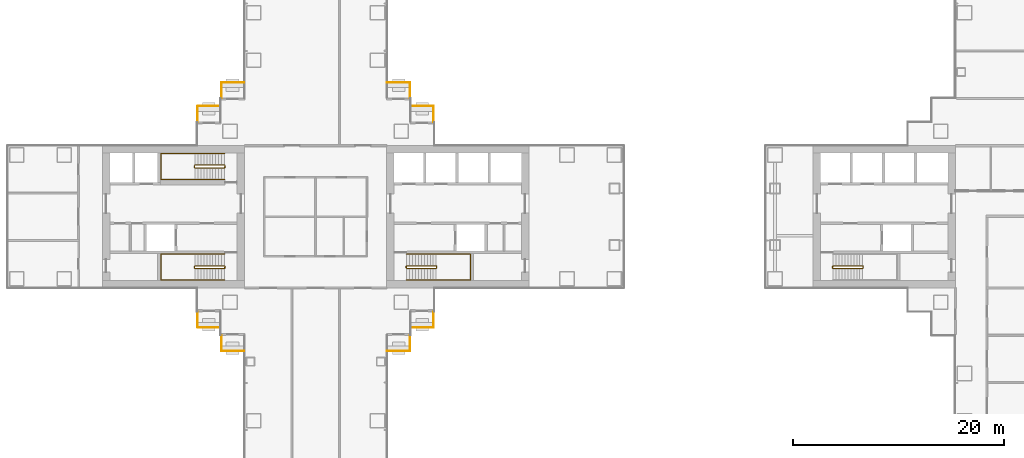
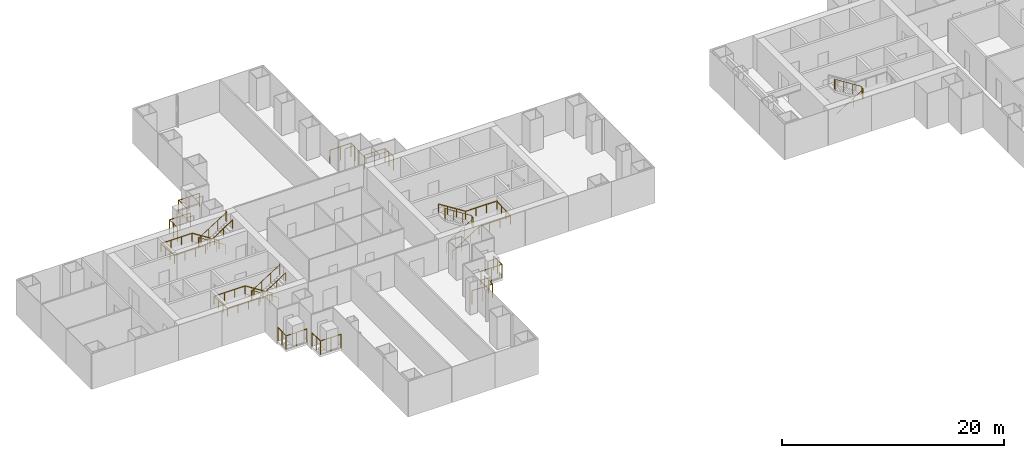
# One storey, part 19 of 21: 15 railings.
"""IFC4 building model written with IfcOpenShell, lengths in metres."""

from ifc_helpers import new_model, si_unit, direction, frame, origin, origin_2d, place, context, subcontext, project, spatial, circle, extrude, material, type_object, element, save


model = new_model("IFC4")

# Units and contexts
model_context = context("Model", 3, precision=1e-05, world=origin(), true_north=direction((0.0, 1.0)))
body_context = subcontext(model_context, "Body", "Model", "MODEL_VIEW")
ifc_project = project(units=[si_unit("LENGTHUNIT", "METRE"), si_unit("AREAUNIT", "SQUARE_METRE"), si_unit("VOLUMEUNIT", "CUBIC_METRE"), si_unit("PLANEANGLEUNIT", "RADIAN"), si_unit("MASSUNIT", "GRAM", prefix="KILO")], contexts=[model_context])

# Site, building, storey
site_placement = place(None, origin())
site = spatial("IfcSite", under=ifc_project, at=site_placement, CompositionType="ELEMENT")
building_placement = place(site_placement, origin())
building = spatial("IfcBuilding", under=site, at=building_placement, Name="Shamsa Quay Exchange Towers", CompositionType="ELEMENT")
storey_placement = place(building_placement, frame((0.0, 0.0, 45.89990234375)))
storey = spatial("IfcBuildingStorey", under=building, at=storey_placement, Name="L09", CompositionType="ELEMENT", Elevation=45.89990234375)

# Railings
ifc_material_1 = material(Name="Steel S355, black powder-coated", Category="steel")
railing_type_1 = type_object("IfcRailingType", Name="BALCONY GUARD 1500", PredefinedType="GUARDRAIL", material=ifc_material_1)
for number, where, name in (
    (1, (-22.550048828125, 9.02099609375, 0.0), "Balcony guard T1-PKEN L09"),
    (2, (-24.800048828125, 11.27099609375, 0.0), "Balcony guard T1-PKEN L09"),
):
    element("IfcRailing", number, at=place(storey_placement, frame(where)), inside=storey, type_object=railing_type_1, Name=name, PredefinedType="GUARDRAIL", context=body_context, shape_type="SweptSolid", body=[
        extrude(circle(Radius=0.02392578125, at=origin_2d()), frame((0.0, 0.0, 1.47607421875), z_axis=(0.0, 1.0, 0.0), x_axis=(-1.0, 0.0, 0.0)), (0.0, 0.0, 1.0), 1.47900390625),
        extrude(circle(Radius=0.02392578125, at=origin_2d()), frame((0.0, 1.47900390625, 1.47607421875), z_axis=(-1.0, 0.0, 0.0), x_axis=(0.0, -1.0, 0.0)), (0.0, 0.0, 1.0), 2.161865234375),
        extrude(circle(Radius=0.02099609375, at=origin_2d()), origin(), (0.0, 0.0, 1.0), 1.451904296875),
        extrude(circle(Radius=0.02099609375, at=origin_2d()), frame((0.0, 0.739501953125, 0.0)), (0.0, 0.0, 1.0), 1.451904296875),
        extrude(circle(Radius=0.02099609375, at=origin_2d()), frame((0.0, 1.47900390625, 0.0)), (0.0, 0.0, 1.0), 1.451904296875),
        extrude(circle(Radius=0.02099609375, at=origin_2d()), frame((-1.0810546875, 1.47900390625, 0.0)), (0.0, 0.0, 1.0), 1.451904296875),
        extrude(circle(Radius=0.02099609375, at=origin_2d()), frame((-2.161865234375, 1.47900390625, 0.0)), (0.0, 0.0, 1.0), 1.451904296875),
    ])
for number, where, name in (
    (3, (-24.7119140625, -10.5, 0.0), "Balcony guard T1-PKES L09"),
    (4, (-26.9619140625, -12.75, 0.0), "Balcony guard T1-PKES L09"),
):
    element("IfcRailing", number, at=place(storey_placement, frame(where)), inside=storey, type_object=railing_type_1, Name=name, PredefinedType="GUARDRAIL", context=body_context, shape_type="SweptSolid", body=[
        extrude(circle(Radius=0.02392578125, at=origin_2d()), frame((0.0, 0.0, 1.47607421875), z_axis=(1.0, 0.0, 0.0), x_axis=(0.0, 1.0, 0.0)), (0.0, 0.0, 1.0), 2.161865234375),
        extrude(circle(Radius=0.02392578125, at=origin_2d()), frame((2.161865234375, 0.0, 1.47607421875), z_axis=(0.0, 1.0, 0.0), x_axis=(-1.0, 0.0, 0.0)), (0.0, 0.0, 1.0), 1.47900390625),
        extrude(circle(Radius=0.02099609375, at=origin_2d()), origin(), (0.0, 0.0, 1.0), 1.451904296875),
        extrude(circle(Radius=0.02099609375, at=origin_2d()), frame((1.0810546875, 0.0, 0.0)), (0.0, 0.0, 1.0), 1.451904296875),
        extrude(circle(Radius=0.02099609375, at=origin_2d()), frame((2.161865234375, 0.0, 0.0)), (0.0, 0.0, 1.0), 1.451904296875),
        extrude(circle(Radius=0.02099609375, at=origin_2d()), frame((2.161865234375, 0.739501953125, 0.0)), (0.0, 0.0, 1.0), 1.451904296875),
        extrude(circle(Radius=0.02099609375, at=origin_2d()), frame((2.161865234375, 1.47900390625, 0.0)), (0.0, 0.0, 1.0), 1.451904296875),
    ])
for number, where, name in (
    (5, (-40.5380859375, 12.75, 0.0), "Balcony guard T1-PKWN L09"),
    (6, (-42.7880859375, 10.5, 0.0), "Balcony guard T1-PKWN L09"),
):
    element("IfcRailing", number, at=place(storey_placement, frame(where)), inside=storey, type_object=railing_type_1, Name=name, PredefinedType="GUARDRAIL", context=body_context, shape_type="SweptSolid", body=[
        extrude(circle(Radius=0.02392578125, at=origin_2d()), frame((0.0, 0.0, 1.47607421875), z_axis=(-1.0, 0.0, 0.0), x_axis=(0.0, -1.0, 0.0)), (0.0, 0.0, 1.0), 2.161865234375),
        extrude(circle(Radius=0.02392578125, at=origin_2d()), frame((-2.161865234375, 0.0, 1.47607421875), z_axis=(0.0, -1.0, 0.0), x_axis=(1.0, 0.0, 0.0)), (0.0, 0.0, 1.0), 1.47900390625),
        extrude(circle(Radius=0.02099609375, at=origin_2d()), origin(), (0.0, 0.0, 1.0), 1.451904296875),
        extrude(circle(Radius=0.02099609375, at=origin_2d()), frame((-1.0810546875, 0.0, 0.0)), (0.0, 0.0, 1.0), 1.451904296875),
        extrude(circle(Radius=0.02099609375, at=origin_2d()), frame((-2.161865234375, 0.0, 0.0)), (0.0, 0.0, 1.0), 1.451904296875),
        extrude(circle(Radius=0.02099609375, at=origin_2d()), frame((-2.161865234375, -0.739501953125, 0.0)), (0.0, 0.0, 1.0), 1.451904296875),
        extrude(circle(Radius=0.02099609375, at=origin_2d()), frame((-2.161865234375, -1.47900390625, 0.0)), (0.0, 0.0, 1.0), 1.451904296875),
    ])
for number, where, name in (
    (7, (-44.949951171875, -9.02099609375, 0.0), "Balcony guard T1-PKWS L09"),
    (8, (-42.699951171875, -11.27099609375, 0.0), "Balcony guard T1-PKWS L09"),
):
    element("IfcRailing", number, at=place(storey_placement, frame(where)), inside=storey, type_object=railing_type_1, Name=name, PredefinedType="GUARDRAIL", context=body_context, shape_type="SweptSolid", body=[
        extrude(circle(Radius=0.02392578125, at=origin_2d()), frame((0.0, 0.0, 1.47607421875), z_axis=(0.0, -1.0, 0.0), x_axis=(1.0, 0.0, 0.0)), (0.0, 0.0, 1.0), 1.47900390625),
        extrude(circle(Radius=0.02392578125, at=origin_2d()), frame((0.0, -1.47900390625, 1.47607421875), z_axis=(1.0, 0.0, 0.0), x_axis=(0.0, 1.0, 0.0)), (0.0, 0.0, 1.0), 2.161865234375),
        extrude(circle(Radius=0.02099609375, at=origin_2d()), origin(), (0.0, 0.0, 1.0), 1.451904296875),
        extrude(circle(Radius=0.02099609375, at=origin_2d()), frame((0.0, -0.739501953125, 0.0)), (0.0, 0.0, 1.0), 1.451904296875),
        extrude(circle(Radius=0.02099609375, at=origin_2d()), frame((0.0, -1.47900390625, 0.0)), (0.0, 0.0, 1.0), 1.451904296875),
        extrude(circle(Radius=0.02099609375, at=origin_2d()), frame((1.0810546875, -1.47900390625, 0.0)), (0.0, 0.0, 1.0), 1.451904296875),
        extrude(circle(Radius=0.02099609375, at=origin_2d()), frame((2.161865234375, -1.47900390625, 0.0)), (0.0, 0.0, 1.0), 1.451904296875),
    ])
ifc_material_2 = material(Name="Stainless steel", Category="steel")
railing_type_2 = type_object("IfcRailingType", Name="STAIR GUARD 1100", PredefinedType="GUARDRAIL", material=ifc_material_2)
railing_1_placement = place(storey_placement, frame((-25.10009765625, -4.89990234375, 0.177490234375)))
element("IfcRailing", 9, at=railing_1_placement, inside=storey, type_object=railing_type_2, Name="L09 ST1 stair guard 1", PredefinedType="GUARDRAIL", context=body_context, shape_type="SweptSolid", body=[
    extrude(circle(Radius=0.02392578125, at=origin_2d()), frame((0.0, 0.0, 1.076171875), z_axis=(0.844908973607, 0.0, 0.534910110503), x_axis=(0.0, 1.0, 0.0)), (0.0, 0.0, 1.0), 3.31396484375),
    extrude(circle(Radius=0.02392578125, at=origin_2d()), frame((2.800048828125, 0.0, 2.8486328125), z_axis=(0.708833529934, 0.705375805398, 0.0), x_axis=(-0.705375805398, 0.708833529934, 0.0)), (0.0, 0.0, 1.0), 0.070556640625),
    extrude(circle(Radius=0.02392578125, at=origin_2d()), frame((2.85009765625, 0.0498046875, 2.8486328125), z_axis=(0.0, 1.0, 0.0), x_axis=(-1.0, 0.0, 0.0)), (0.0, 0.0, 1.0), 0.150146484375),
    extrude(circle(Radius=0.02392578125, at=origin_2d()), frame((2.85009765625, 0.199951171875, 2.8486328125), z_axis=(-0.262233686654, 0.262233686654, 0.928691007369), x_axis=(-0.707106781187, -0.707106781187, 0.0)), (0.0, 0.0, 1.0), 0.19091796875),
    extrude(circle(Radius=0.02392578125, at=origin_2d()), frame((2.800048828125, 0.25, 3.02587890625), z_axis=(-0.844908973607, 0.0, 0.534910110503), x_axis=(0.0, -1.0, 0.0)), (0.0, 0.0, 1.0), 3.31396484375),
    extrude(circle(Radius=0.02392578125, at=origin_2d()), frame((0.0, 0.25, 4.798828125), z_axis=(-0.24142163986, -0.970420317083, 0.0), x_axis=(0.970420317083, -0.24142163986, 0.0)), (0.0, 0.0, 1.0), 0.206298828125),
    extrude(circle(Radius=0.02392578125, at=origin_2d()), frame((-0.0498046875, 0.0498046875, 4.798828125), z_axis=(0.0, 1.0, 0.0), x_axis=(-1.0, 0.0, 0.0)), (0.0, 0.0, 1.0), 0.150146484375),
    extrude(circle(Radius=0.02099609375, at=origin_2d()), origin(), (0.0, 0.0, 1.0), 1.052001953125),
    extrude(circle(Radius=0.02099609375, at=origin_2d()), frame((0.933349609375, 0.0, 0.5908203125)), (0.0, 0.0, 1.0), 1.052001953125),
    extrude(circle(Radius=0.02099609375, at=origin_2d()), frame((1.86669921875, 0.0, 1.181884765625)), (0.0, 0.0, 1.0), 1.052001953125),
    extrude(circle(Radius=0.02099609375, at=origin_2d()), frame((2.800048828125, 0.0, 1.772705078125)), (0.0, 0.0, 1.0), 1.052001953125),
    extrude(circle(Radius=0.02099609375, at=origin_2d()), frame((2.85009765625, 0.0498046875, 1.772705078125)), (0.0, 0.0, 1.0), 1.052001953125),
    extrude(circle(Radius=0.02099609375, at=origin_2d()), frame((2.85009765625, 0.199951171875, 1.772705078125)), (0.0, 0.0, 1.0), 1.052001953125),
    extrude(circle(Radius=0.02099609375, at=origin_2d()), frame((2.800048828125, 0.25, 1.949951171875)), (0.0, 0.0, 1.0), 1.052001953125),
    extrude(circle(Radius=0.02099609375, at=origin_2d()), frame((1.86669921875, 0.25, 2.540771484375)), (0.0, 0.0, 1.0), 1.052001953125),
    extrude(circle(Radius=0.02099609375, at=origin_2d()), frame((0.933349609375, 0.25, 3.1318359375)), (0.0, 0.0, 1.0), 1.052001953125),
    extrude(circle(Radius=0.02099609375, at=origin_2d()), frame((0.0, 0.25, 3.72265625)), (0.0, 0.0, 1.0), 1.052001953125),
    extrude(circle(Radius=0.02099609375, at=origin_2d()), frame((-0.0498046875, 0.0498046875, 3.72265625)), (0.0, 0.0, 1.0), 1.052001953125),
    extrude(circle(Radius=0.02099609375, at=origin_2d()), frame((-0.0498046875, 0.199951171875, 3.72265625)), (0.0, 0.0, 1.0), 1.052001953125),
])
railing_2_placement = place(storey_placement, frame((-42.39990234375, -4.64990234375, 0.177490234375)))
element("IfcRailing", 10, at=railing_2_placement, inside=storey, type_object=railing_type_2, Name="L09 ST2 stair guard 1", PredefinedType="GUARDRAIL", context=body_context, shape_type="SweptSolid", body=[
    extrude(circle(Radius=0.02392578125, at=origin_2d()), frame((0.0, 0.0, 1.076171875), z_axis=(-0.844908973607, 0.0, 0.534910110503), x_axis=(0.0, -1.0, 0.0)), (0.0, 0.0, 1.0), 3.31396484375),
    extrude(circle(Radius=0.02392578125, at=origin_2d()), frame((-2.800048828125, 0.0, 2.8486328125), z_axis=(-0.707106781187, -0.707106781187, 0.0), x_axis=(0.707106781187, -0.707106781187, 0.0)), (0.0, 0.0, 1.0), 0.07080078125),
    extrude(circle(Radius=0.02392578125, at=origin_2d()), frame((-2.85009765625, -0.050048828125, 2.8486328125), z_axis=(0.0, -1.0, 0.0), x_axis=(1.0, 0.0, 0.0)), (0.0, 0.0, 1.0), 0.150146484375),
    extrude(circle(Radius=0.02392578125, at=origin_2d()), frame((-2.85009765625, -0.2001953125, 2.8486328125), z_axis=(0.262321481514, -0.261041864531, 0.929001929653), x_axis=(0.705375805398, 0.708833529934, 0.0)), (0.0, 0.0, 1.0), 0.190673828125),
    extrude(circle(Radius=0.02392578125, at=origin_2d()), frame((-2.800048828125, -0.25, 3.02587890625), z_axis=(0.844908973607, 0.0, 0.534910110503), x_axis=(0.0, 1.0, 0.0)), (0.0, 0.0, 1.0), 3.31396484375),
    extrude(circle(Radius=0.02392578125, at=origin_2d()), frame((0.0, -0.25, 4.798828125), z_axis=(0.241699205484, 0.970351222016, 0.0), x_axis=(-0.970351222016, 0.241699205484, 0.0)), (0.0, 0.0, 1.0), 0.2060546875),
    extrude(circle(Radius=0.02392578125, at=origin_2d()), frame((0.0498046875, -0.050048828125, 4.798828125), z_axis=(0.0, -1.0, 0.0), x_axis=(1.0, 0.0, 0.0)), (0.0, 0.0, 1.0), 0.150146484375),
    extrude(circle(Radius=0.02099609375, at=origin_2d()), origin(), (0.0, 0.0, 1.0), 1.052001953125),
    extrude(circle(Radius=0.02099609375, at=origin_2d()), frame((-0.933349609375, 0.0, 0.5908203125)), (0.0, 0.0, 1.0), 1.052001953125),
    extrude(circle(Radius=0.02099609375, at=origin_2d()), frame((-1.86669921875, 0.0, 1.181884765625)), (0.0, 0.0, 1.0), 1.052001953125),
    extrude(circle(Radius=0.02099609375, at=origin_2d()), frame((-2.800048828125, 0.0, 1.772705078125)), (0.0, 0.0, 1.0), 1.052001953125),
    extrude(circle(Radius=0.02099609375, at=origin_2d()), frame((-2.85009765625, -0.050048828125, 1.772705078125)), (0.0, 0.0, 1.0), 1.052001953125),
    extrude(circle(Radius=0.02099609375, at=origin_2d()), frame((-2.85009765625, -0.2001953125, 1.772705078125)), (0.0, 0.0, 1.0), 1.052001953125),
    extrude(circle(Radius=0.02099609375, at=origin_2d()), frame((-2.800048828125, -0.25, 1.949951171875)), (0.0, 0.0, 1.0), 1.052001953125),
    extrude(circle(Radius=0.02099609375, at=origin_2d()), frame((-1.86669921875, -0.25, 2.540771484375)), (0.0, 0.0, 1.0), 1.052001953125),
    extrude(circle(Radius=0.02099609375, at=origin_2d()), frame((-0.933349609375, -0.25, 3.1318359375)), (0.0, 0.0, 1.0), 1.052001953125),
    extrude(circle(Radius=0.02099609375, at=origin_2d()), frame((0.0, -0.25, 3.72265625)), (0.0, 0.0, 1.0), 1.052001953125),
    extrude(circle(Radius=0.02099609375, at=origin_2d()), frame((0.0498046875, -0.050048828125, 3.72265625)), (0.0, 0.0, 1.0), 1.052001953125),
    extrude(circle(Radius=0.02099609375, at=origin_2d()), frame((0.0498046875, -0.2001953125, 3.72265625)), (0.0, 0.0, 1.0), 1.052001953125),
])
railing_3_placement = place(storey_placement, frame((-42.39990234375, 4.89990234375, 0.177490234375)))
element("IfcRailing", 11, at=railing_3_placement, inside=storey, type_object=railing_type_2, Name="L09 ST3 stair guard 1", PredefinedType="GUARDRAIL", context=body_context, shape_type="SweptSolid", body=[
    extrude(circle(Radius=0.02392578125, at=origin_2d()), frame((0.0, 0.0, 1.076171875), z_axis=(-0.844908973607, 0.0, 0.534910110503), x_axis=(0.0, -1.0, 0.0)), (0.0, 0.0, 1.0), 3.31396484375),
    extrude(circle(Radius=0.02392578125, at=origin_2d()), frame((-2.800048828125, 0.0, 2.8486328125), z_axis=(-0.708833529934, -0.705375805398, 0.0), x_axis=(0.705375805398, -0.708833529934, 0.0)), (0.0, 0.0, 1.0), 0.070556640625),
    extrude(circle(Radius=0.02392578125, at=origin_2d()), frame((-2.85009765625, -0.0498046875, 2.8486328125), z_axis=(0.0, -1.0, 0.0), x_axis=(1.0, 0.0, 0.0)), (0.0, 0.0, 1.0), 0.150146484375),
    extrude(circle(Radius=0.02392578125, at=origin_2d()), frame((-2.85009765625, -0.199951171875, 2.8486328125), z_axis=(0.262233686654, -0.262233686654, 0.928691007369), x_axis=(0.707106781187, 0.707106781187, 0.0)), (0.0, 0.0, 1.0), 0.19091796875),
    extrude(circle(Radius=0.02392578125, at=origin_2d()), frame((-2.800048828125, -0.25, 3.02587890625), z_axis=(0.844908973607, 0.0, 0.534910110503), x_axis=(0.0, 1.0, 0.0)), (0.0, 0.0, 1.0), 3.31396484375),
    extrude(circle(Radius=0.02392578125, at=origin_2d()), frame((0.0, -0.25, 4.798828125), z_axis=(0.24142163986, 0.970420317083, 0.0), x_axis=(-0.970420317083, 0.24142163986, 0.0)), (0.0, 0.0, 1.0), 0.206298828125),
    extrude(circle(Radius=0.02392578125, at=origin_2d()), frame((0.0498046875, -0.0498046875, 4.798828125), z_axis=(0.0, -1.0, 0.0), x_axis=(1.0, 0.0, 0.0)), (0.0, 0.0, 1.0), 0.150146484375),
    extrude(circle(Radius=0.02099609375, at=origin_2d()), origin(), (0.0, 0.0, 1.0), 1.052001953125),
    extrude(circle(Radius=0.02099609375, at=origin_2d()), frame((-0.933349609375, 0.0, 0.5908203125)), (0.0, 0.0, 1.0), 1.052001953125),
    extrude(circle(Radius=0.02099609375, at=origin_2d()), frame((-1.86669921875, 0.0, 1.181884765625)), (0.0, 0.0, 1.0), 1.052001953125),
    extrude(circle(Radius=0.02099609375, at=origin_2d()), frame((-2.800048828125, 0.0, 1.772705078125)), (0.0, 0.0, 1.0), 1.052001953125),
    extrude(circle(Radius=0.02099609375, at=origin_2d()), frame((-2.85009765625, -0.0498046875, 1.772705078125)), (0.0, 0.0, 1.0), 1.052001953125),
    extrude(circle(Radius=0.02099609375, at=origin_2d()), frame((-2.85009765625, -0.199951171875, 1.772705078125)), (0.0, 0.0, 1.0), 1.052001953125),
    extrude(circle(Radius=0.02099609375, at=origin_2d()), frame((-2.800048828125, -0.25, 1.949951171875)), (0.0, 0.0, 1.0), 1.052001953125),
    extrude(circle(Radius=0.02099609375, at=origin_2d()), frame((-1.86669921875, -0.25, 2.540771484375)), (0.0, 0.0, 1.0), 1.052001953125),
    extrude(circle(Radius=0.02099609375, at=origin_2d()), frame((-0.933349609375, -0.25, 3.1318359375)), (0.0, 0.0, 1.0), 1.052001953125),
    extrude(circle(Radius=0.02099609375, at=origin_2d()), frame((0.0, -0.25, 3.72265625)), (0.0, 0.0, 1.0), 1.052001953125),
    extrude(circle(Radius=0.02099609375, at=origin_2d()), frame((0.0498046875, -0.0498046875, 3.72265625)), (0.0, 0.0, 1.0), 1.052001953125),
    extrude(circle(Radius=0.02099609375, at=origin_2d()), frame((0.0498046875, -0.199951171875, 3.72265625)), (0.0, 0.0, 1.0), 1.052001953125),
])
railing_4_placement = place(storey_placement, frame((15.39990234375, -4.89990234375, 0.177490234375)))
element("IfcRailing", 12, at=railing_4_placement, inside=storey, type_object=railing_type_2, Name="L09 ST4 stair guard 1", PredefinedType="GUARDRAIL", context=body_context, shape_type="SweptSolid", body=[
    extrude(circle(Radius=0.02392578125, at=origin_2d()), frame((0.0, 0.0, 1.076171875), z_axis=(0.844908973607, 0.0, 0.534910110503), x_axis=(0.0, 1.0, 0.0)), (0.0, 0.0, 1.0), 3.31396484375),
    extrude(circle(Radius=0.02392578125, at=origin_2d()), frame((2.800048828125, 0.0, 2.8486328125), z_axis=(0.708833529934, 0.705375805398, 0.0), x_axis=(-0.705375805398, 0.708833529934, 0.0)), (0.0, 0.0, 1.0), 0.070556640625),
    extrude(circle(Radius=0.02392578125, at=origin_2d()), frame((2.85009765625, 0.0498046875, 2.8486328125), z_axis=(0.0, 1.0, 0.0), x_axis=(-1.0, 0.0, 0.0)), (0.0, 0.0, 1.0), 0.150146484375),
    extrude(circle(Radius=0.02392578125, at=origin_2d()), frame((2.85009765625, 0.199951171875, 2.8486328125), z_axis=(-0.262233686654, 0.262233686654, 0.928691007369), x_axis=(-0.707106781187, -0.707106781187, 0.0)), (0.0, 0.0, 1.0), 0.19091796875),
    extrude(circle(Radius=0.02392578125, at=origin_2d()), frame((2.800048828125, 0.25, 3.02587890625), z_axis=(-0.844908973607, 0.0, 0.534910110503), x_axis=(0.0, -1.0, 0.0)), (0.0, 0.0, 1.0), 3.31396484375),
    extrude(circle(Radius=0.02392578125, at=origin_2d()), frame((0.0, 0.25, 4.798828125), z_axis=(-0.24142163986, -0.970420317083, 0.0), x_axis=(0.970420317083, -0.24142163986, 0.0)), (0.0, 0.0, 1.0), 0.206298828125),
    extrude(circle(Radius=0.02392578125, at=origin_2d()), frame((-0.0498046875, 0.0498046875, 4.798828125), z_axis=(0.0, 1.0, 0.0), x_axis=(-1.0, 0.0, 0.0)), (0.0, 0.0, 1.0), 0.150146484375),
    extrude(circle(Radius=0.02099609375, at=origin_2d()), origin(), (0.0, 0.0, 1.0), 1.052001953125),
    extrude(circle(Radius=0.02099609375, at=origin_2d()), frame((0.933349609375, 0.0, 0.5908203125)), (0.0, 0.0, 1.0), 1.052001953125),
    extrude(circle(Radius=0.02099609375, at=origin_2d()), frame((1.86669921875, 0.0, 1.181884765625)), (0.0, 0.0, 1.0), 1.052001953125),
    extrude(circle(Radius=0.02099609375, at=origin_2d()), frame((2.800048828125, 0.0, 1.772705078125)), (0.0, 0.0, 1.0), 1.052001953125),
    extrude(circle(Radius=0.02099609375, at=origin_2d()), frame((2.85009765625, 0.0498046875, 1.772705078125)), (0.0, 0.0, 1.0), 1.052001953125),
    extrude(circle(Radius=0.02099609375, at=origin_2d()), frame((2.85009765625, 0.199951171875, 1.772705078125)), (0.0, 0.0, 1.0), 1.052001953125),
    extrude(circle(Radius=0.02099609375, at=origin_2d()), frame((2.800048828125, 0.25, 1.949951171875)), (0.0, 0.0, 1.0), 1.052001953125),
    extrude(circle(Radius=0.02099609375, at=origin_2d()), frame((1.86669921875, 0.25, 2.540771484375)), (0.0, 0.0, 1.0), 1.052001953125),
    extrude(circle(Radius=0.02099609375, at=origin_2d()), frame((0.933349609375, 0.25, 3.1318359375)), (0.0, 0.0, 1.0), 1.052001953125),
    extrude(circle(Radius=0.02099609375, at=origin_2d()), frame((0.0, 0.25, 3.72265625)), (0.0, 0.0, 1.0), 1.052001953125),
    extrude(circle(Radius=0.02099609375, at=origin_2d()), frame((-0.0498046875, 0.0498046875, 3.72265625)), (0.0, 0.0, 1.0), 1.052001953125),
    extrude(circle(Radius=0.02099609375, at=origin_2d()), frame((-0.0498046875, 0.199951171875, 3.72265625)), (0.0, 0.0, 1.0), 1.052001953125),
])
railing_type_3 = type_object("IfcRailingType", Name="STAIR HANDRAIL 900", PredefinedType="HANDRAIL", material=ifc_material_2)
railing_5_placement = place(storey_placement, frame((-25.10009765625, -6.0, 0.177490234375)))
element("IfcRailing", 13, at=railing_5_placement, inside=storey, type_object=railing_type_3, Name="L09 ST1 stair handrail 1", PredefinedType="HANDRAIL", context=body_context, shape_type="SweptSolid", body=[
    extrude(circle(Radius=0.02392578125, at=origin_2d()), frame((0.0, 0.0, 0.8759765625), z_axis=(0.844908973607, 0.0, 0.534910110503), x_axis=(0.0, 1.0, 0.0)), (0.0, 0.0, 1.0), 3.31396484375),
    extrude(circle(Radius=0.02392578125, at=origin_2d()), frame((2.800048828125, 0.0, 2.6484375), z_axis=(1.0, 0.0, 0.0), x_axis=(0.0, 1.0, 0.0)), (0.0, 0.0, 1.0), 3.25),
    extrude(circle(Radius=0.02392578125, at=origin_2d()), frame((6.050048828125, 0.0, 2.6484375), z_axis=(0.0, 0.997393199914, 0.07215819264), x_axis=(-1.0, 0.0, 0.0)), (0.0, 0.0, 1.0), 2.456298828125),
    extrude(circle(Radius=0.02392578125, at=origin_2d()), frame((6.050048828125, 2.449951171875, 2.82568359375), z_axis=(-1.0, 0.0, 0.0), x_axis=(0.0, -1.0, 0.0)), (0.0, 0.0, 1.0), 3.25),
    extrude(circle(Radius=0.02392578125, at=origin_2d()), frame((2.800048828125, 2.449951171875, 2.82568359375), z_axis=(-0.844908973607, 0.0, 0.534910110503), x_axis=(0.0, -1.0, 0.0)), (0.0, 0.0, 1.0), 3.31396484375),
    extrude(circle(Radius=0.02099609375, at=origin_2d()), origin(), (0.0, 0.0, 1.0), 0.851806640625),
    extrude(circle(Radius=0.02099609375, at=origin_2d()), frame((0.933349609375, 0.0, 0.5908203125)), (0.0, 0.0, 1.0), 0.851806640625),
    extrude(circle(Radius=0.02099609375, at=origin_2d()), frame((1.86669921875, 0.0, 1.181884765625)), (0.0, 0.0, 1.0), 0.851806640625),
    extrude(circle(Radius=0.02099609375, at=origin_2d()), frame((2.800048828125, 0.0, 1.772705078125)), (0.0, 0.0, 1.0), 0.851806640625),
    extrude(circle(Radius=0.02099609375, at=origin_2d()), frame((3.88330078125, 0.0, 1.772705078125)), (0.0, 0.0, 1.0), 0.851806640625),
    extrude(circle(Radius=0.02099609375, at=origin_2d()), frame((4.966796875, 0.0, 1.772705078125)), (0.0, 0.0, 1.0), 0.851806640625),
    extrude(circle(Radius=0.02099609375, at=origin_2d()), frame((6.050048828125, 0.0, 1.772705078125)), (0.0, 0.0, 1.0), 0.851806640625),
    extrude(circle(Radius=0.02099609375, at=origin_2d()), frame((6.050048828125, 0.816650390625, 1.831787109375)), (0.0, 0.0, 1.0), 0.851806640625),
    extrude(circle(Radius=0.02099609375, at=origin_2d()), frame((6.050048828125, 1.63330078125, 1.890869140625)), (0.0, 0.0, 1.0), 0.851806640625),
    extrude(circle(Radius=0.02099609375, at=origin_2d()), frame((6.050048828125, 2.449951171875, 1.949951171875)), (0.0, 0.0, 1.0), 0.851806640625),
    extrude(circle(Radius=0.02099609375, at=origin_2d()), frame((4.966796875, 2.449951171875, 1.949951171875)), (0.0, 0.0, 1.0), 0.851806640625),
    extrude(circle(Radius=0.02099609375, at=origin_2d()), frame((3.88330078125, 2.449951171875, 1.949951171875)), (0.0, 0.0, 1.0), 0.851806640625),
    extrude(circle(Radius=0.02099609375, at=origin_2d()), frame((2.800048828125, 2.449951171875, 1.949951171875)), (0.0, 0.0, 1.0), 0.851806640625),
    extrude(circle(Radius=0.02099609375, at=origin_2d()), frame((1.86669921875, 2.449951171875, 2.540771484375)), (0.0, 0.0, 1.0), 0.851806640625),
    extrude(circle(Radius=0.02099609375, at=origin_2d()), frame((0.933349609375, 2.449951171875, 3.1318359375)), (0.0, 0.0, 1.0), 0.851806640625),
    extrude(circle(Radius=0.02099609375, at=origin_2d()), frame((0.0, 2.449951171875, 3.72265625)), (0.0, 0.0, 1.0), 0.851806640625),
])
railing_6_placement = place(storey_placement, frame((-42.39990234375, -3.550048828125, 0.177490234375)))
element("IfcRailing", 14, at=railing_6_placement, inside=storey, type_object=railing_type_3, Name="L09 ST2 stair handrail 1", PredefinedType="HANDRAIL", context=body_context, shape_type="SweptSolid", body=[
    extrude(circle(Radius=0.02392578125, at=origin_2d()), frame((0.0, 0.0, 0.8759765625), z_axis=(-0.844908973607, 0.0, 0.534910110503), x_axis=(0.0, -1.0, 0.0)), (0.0, 0.0, 1.0), 3.31396484375),
    extrude(circle(Radius=0.02392578125, at=origin_2d()), frame((-2.800048828125, 0.0, 2.6484375), z_axis=(-1.0, 0.0, 0.0), x_axis=(0.0, -1.0, 0.0)), (0.0, 0.0, 1.0), 3.25),
    extrude(circle(Radius=0.02392578125, at=origin_2d()), frame((-6.050048828125, 0.0, 2.6484375), z_axis=(0.0, -0.997393199914, 0.07215819264), x_axis=(1.0, 0.0, 0.0)), (0.0, 0.0, 1.0), 2.456298828125),
    extrude(circle(Radius=0.02392578125, at=origin_2d()), frame((-6.050048828125, -2.449951171875, 2.82568359375), z_axis=(1.0, 0.0, 0.0), x_axis=(0.0, 1.0, 0.0)), (0.0, 0.0, 1.0), 3.25),
    extrude(circle(Radius=0.02392578125, at=origin_2d()), frame((-2.800048828125, -2.449951171875, 2.82568359375), z_axis=(0.844908973607, 0.0, 0.534910110503), x_axis=(0.0, 1.0, 0.0)), (0.0, 0.0, 1.0), 3.31396484375),
    extrude(circle(Radius=0.02099609375, at=origin_2d()), origin(), (0.0, 0.0, 1.0), 0.851806640625),
    extrude(circle(Radius=0.02099609375, at=origin_2d()), frame((-0.933349609375, 0.0, 0.5908203125)), (0.0, 0.0, 1.0), 0.851806640625),
    extrude(circle(Radius=0.02099609375, at=origin_2d()), frame((-1.86669921875, 0.0, 1.181884765625)), (0.0, 0.0, 1.0), 0.851806640625),
    extrude(circle(Radius=0.02099609375, at=origin_2d()), frame((-2.800048828125, 0.0, 1.772705078125)), (0.0, 0.0, 1.0), 0.851806640625),
    extrude(circle(Radius=0.02099609375, at=origin_2d()), frame((-3.88330078125, 0.0, 1.772705078125)), (0.0, 0.0, 1.0), 0.851806640625),
    extrude(circle(Radius=0.02099609375, at=origin_2d()), frame((-4.966796875, 0.0, 1.772705078125)), (0.0, 0.0, 1.0), 0.851806640625),
    extrude(circle(Radius=0.02099609375, at=origin_2d()), frame((-6.050048828125, 0.0, 1.772705078125)), (0.0, 0.0, 1.0), 0.851806640625),
    extrude(circle(Radius=0.02099609375, at=origin_2d()), frame((-6.050048828125, -0.816650390625, 1.831787109375)), (0.0, 0.0, 1.0), 0.851806640625),
    extrude(circle(Radius=0.02099609375, at=origin_2d()), frame((-6.050048828125, -1.63330078125, 1.890869140625)), (0.0, 0.0, 1.0), 0.851806640625),
    extrude(circle(Radius=0.02099609375, at=origin_2d()), frame((-6.050048828125, -2.449951171875, 1.949951171875)), (0.0, 0.0, 1.0), 0.851806640625),
    extrude(circle(Radius=0.02099609375, at=origin_2d()), frame((-4.966796875, -2.449951171875, 1.949951171875)), (0.0, 0.0, 1.0), 0.851806640625),
    extrude(circle(Radius=0.02099609375, at=origin_2d()), frame((-3.88330078125, -2.449951171875, 1.949951171875)), (0.0, 0.0, 1.0), 0.851806640625),
    extrude(circle(Radius=0.02099609375, at=origin_2d()), frame((-2.800048828125, -2.449951171875, 1.949951171875)), (0.0, 0.0, 1.0), 0.851806640625),
    extrude(circle(Radius=0.02099609375, at=origin_2d()), frame((-1.86669921875, -2.449951171875, 2.540771484375)), (0.0, 0.0, 1.0), 0.851806640625),
    extrude(circle(Radius=0.02099609375, at=origin_2d()), frame((-0.933349609375, -2.449951171875, 3.1318359375)), (0.0, 0.0, 1.0), 0.851806640625),
    extrude(circle(Radius=0.02099609375, at=origin_2d()), frame((0.0, -2.449951171875, 3.72265625)), (0.0, 0.0, 1.0), 0.851806640625),
])
railing_7_placement = place(storey_placement, frame((-42.39990234375, 6.0, 0.177490234375)))
element("IfcRailing", 15, at=railing_7_placement, inside=storey, type_object=railing_type_3, Name="L09 ST3 stair handrail 1", PredefinedType="HANDRAIL", context=body_context, shape_type="SweptSolid", body=[
    extrude(circle(Radius=0.02392578125, at=origin_2d()), frame((0.0, 0.0, 0.8759765625), z_axis=(-0.844908973607, 0.0, 0.534910110503), x_axis=(0.0, -1.0, 0.0)), (0.0, 0.0, 1.0), 3.31396484375),
    extrude(circle(Radius=0.02392578125, at=origin_2d()), frame((-2.800048828125, 0.0, 2.6484375), z_axis=(-1.0, 0.0, 0.0), x_axis=(0.0, -1.0, 0.0)), (0.0, 0.0, 1.0), 3.25),
    extrude(circle(Radius=0.02392578125, at=origin_2d()), frame((-6.050048828125, 0.0, 2.6484375), z_axis=(0.0, -0.997393199914, 0.07215819264), x_axis=(1.0, 0.0, 0.0)), (0.0, 0.0, 1.0), 2.456298828125),
    extrude(circle(Radius=0.02392578125, at=origin_2d()), frame((-6.050048828125, -2.449951171875, 2.82568359375), z_axis=(1.0, 0.0, 0.0), x_axis=(0.0, 1.0, 0.0)), (0.0, 0.0, 1.0), 3.25),
    extrude(circle(Radius=0.02392578125, at=origin_2d()), frame((-2.800048828125, -2.449951171875, 2.82568359375), z_axis=(0.844908973607, 0.0, 0.534910110503), x_axis=(0.0, 1.0, 0.0)), (0.0, 0.0, 1.0), 3.31396484375),
    extrude(circle(Radius=0.02099609375, at=origin_2d()), origin(), (0.0, 0.0, 1.0), 0.851806640625),
    extrude(circle(Radius=0.02099609375, at=origin_2d()), frame((-0.933349609375, 0.0, 0.5908203125)), (0.0, 0.0, 1.0), 0.851806640625),
    extrude(circle(Radius=0.02099609375, at=origin_2d()), frame((-1.86669921875, 0.0, 1.181884765625)), (0.0, 0.0, 1.0), 0.851806640625),
    extrude(circle(Radius=0.02099609375, at=origin_2d()), frame((-2.800048828125, 0.0, 1.772705078125)), (0.0, 0.0, 1.0), 0.851806640625),
    extrude(circle(Radius=0.02099609375, at=origin_2d()), frame((-3.88330078125, 0.0, 1.772705078125)), (0.0, 0.0, 1.0), 0.851806640625),
    extrude(circle(Radius=0.02099609375, at=origin_2d()), frame((-4.966796875, 0.0, 1.772705078125)), (0.0, 0.0, 1.0), 0.851806640625),
    extrude(circle(Radius=0.02099609375, at=origin_2d()), frame((-6.050048828125, 0.0, 1.772705078125)), (0.0, 0.0, 1.0), 0.851806640625),
    extrude(circle(Radius=0.02099609375, at=origin_2d()), frame((-6.050048828125, -0.816650390625, 1.831787109375)), (0.0, 0.0, 1.0), 0.851806640625),
    extrude(circle(Radius=0.02099609375, at=origin_2d()), frame((-6.050048828125, -1.63330078125, 1.890869140625)), (0.0, 0.0, 1.0), 0.851806640625),
    extrude(circle(Radius=0.02099609375, at=origin_2d()), frame((-6.050048828125, -2.449951171875, 1.949951171875)), (0.0, 0.0, 1.0), 0.851806640625),
    extrude(circle(Radius=0.02099609375, at=origin_2d()), frame((-4.966796875, -2.449951171875, 1.949951171875)), (0.0, 0.0, 1.0), 0.851806640625),
    extrude(circle(Radius=0.02099609375, at=origin_2d()), frame((-3.88330078125, -2.449951171875, 1.949951171875)), (0.0, 0.0, 1.0), 0.851806640625),
    extrude(circle(Radius=0.02099609375, at=origin_2d()), frame((-2.800048828125, -2.449951171875, 1.949951171875)), (0.0, 0.0, 1.0), 0.851806640625),
    extrude(circle(Radius=0.02099609375, at=origin_2d()), frame((-1.86669921875, -2.449951171875, 2.540771484375)), (0.0, 0.0, 1.0), 0.851806640625),
    extrude(circle(Radius=0.02099609375, at=origin_2d()), frame((-0.933349609375, -2.449951171875, 3.1318359375)), (0.0, 0.0, 1.0), 0.851806640625),
    extrude(circle(Radius=0.02099609375, at=origin_2d()), frame((0.0, -2.449951171875, 3.72265625)), (0.0, 0.0, 1.0), 0.851806640625),
])

save(model, "model.ifc")
